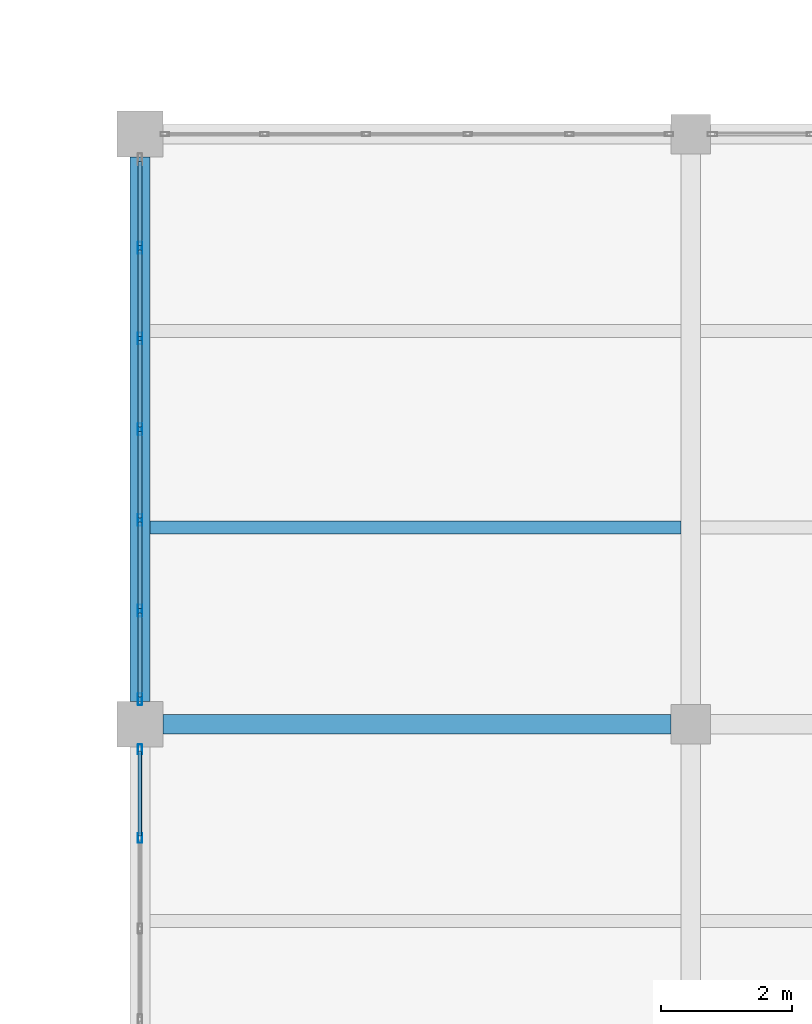
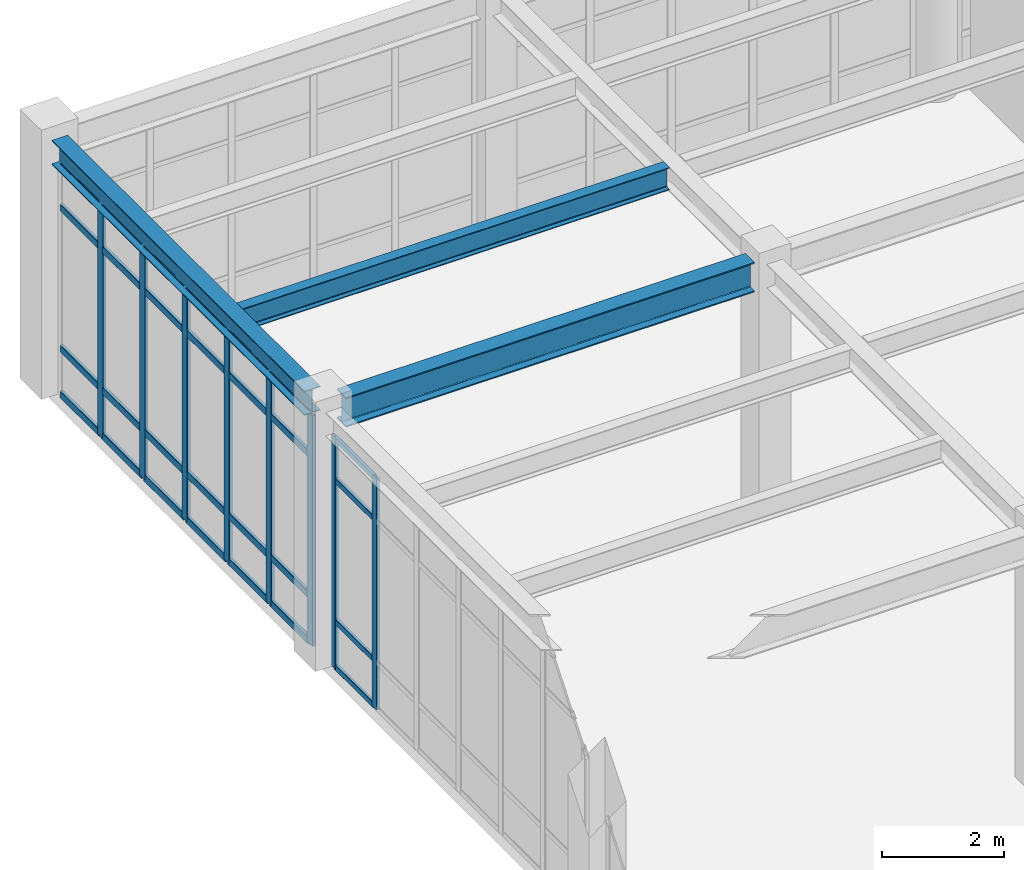
# One storey, part 39 of 80: 36 members, 3 beams, 2 elements without a shape of their own.
"""IFC4 building model written with IfcOpenShell, lengths in metres."""

from ifc_helpers import new_model, si_unit, direction, frame, origin, origin_2d, place, context, subcontext, project, spatial, hollow_rectangle, i_section, extrude, material, material_profile, profile_set, type_object, element, aggregate, save


model = new_model("IFC4")

# Units and contexts
model_context = context("Model", 3, precision=1e-05, world=origin(), true_north=direction((0.0, 1.0)))
body_context = subcontext(model_context, "Body", "Model", "MODEL_VIEW")
ifc_project = project(units=[si_unit("LENGTHUNIT", "METRE"), si_unit("AREAUNIT", "SQUARE_METRE"), si_unit("VOLUMEUNIT", "CUBIC_METRE"), si_unit("PLANEANGLEUNIT", "RADIAN"), si_unit("MASSUNIT", "GRAM", prefix="KILO")], contexts=[model_context])

# Site, building, storey
site_placement = place(None, origin())
site = spatial("IfcSite", under=ifc_project, at=site_placement, CompositionType="ELEMENT")
building_placement = place(site_placement, origin())
building = spatial("IfcBuilding", under=site, at=building_placement, Name="Canglan Escarpment Cableway Terminal", CompositionType="ELEMENT")
storey_placement = place(building_placement, frame((0.0, 0.0, 19.199951171875)))
storey = spatial("IfcBuildingStorey", under=building, at=storey_placement, Name="L04", CompositionType="ELEMENT", Elevation=19.199951171875)

# Beams
ifc_material_1 = material(Name="Steel Q355B", Category="steel")
ifc_material_profile_1 = material_profile(ifc_material_1, i_section(OverallWidth=0.300048828125, OverallDepth=0.488037109375, WebThickness=0.010986328125, FlangeThickness=0.01806640625, FilletRadius=0.02587890625, at=origin_2d()), Name="HM 488x300x11x18")
ifc_profile_set_1 = profile_set([ifc_material_profile_1], Name="Steel Q355B")
beam_type_1 = type_object("IfcBeamType", Name="BM-HM488", PredefinedType="BEAM", material=ifc_profile_set_1)
beam_1_placement = place(storey_placement, frame((111.5, 106.35009765625, 4.885986328125), z_axis=(0.0, 1.0, 0.0), x_axis=(-1.0, 0.0, 0.0)))
element("IfcBeam", 1, at=beam_1_placement, inside=storey, type_object=beam_type_1, Name="Primary transverse girder B-09", PredefinedType="BEAM", context=body_context, shape_type="SweptSolid", body=[
    extrude(i_section(OverallWidth=0.300048828125, OverallDepth=0.488037109375, WebThickness=0.010986328125, FlangeThickness=0.01806640625, FilletRadius=0.02587890625, at=origin_2d()), origin(), (0.0, 0.0, 1.0), 8.2998046875),
])
ifc_material_2 = material(Name="Steel Q355C", Category="steel")
ifc_material_profile_2 = material_profile(ifc_material_2, i_section(OverallWidth=0.302001953125, OverallDepth=0.593994140625, WebThickness=0.013916015625, FlangeThickness=0.02294921875, FilletRadius=0.028076171875, at=origin_2d()), Name="HM 594x302x14x23")
ifc_profile_set_2 = profile_set([ifc_material_profile_2], Name="Steel Q355C")
beam_type_2 = type_object("IfcBeamType", Name="BM-HM594", PredefinedType="BEAM", material=ifc_profile_set_2)
beam_2_placement = place(storey_placement, frame((111.85009765625, 106.0, 4.8330078125), z_axis=(1.0, 0.0, 0.0), x_axis=(0.0, 1.0, 0.0)))
element("IfcBeam", 2, at=beam_2_placement, inside=storey, type_object=beam_type_2, Name="Primary structural girder B-07", PredefinedType="BEAM", context=body_context, shape_type="SweptSolid", body=[
    extrude(i_section(OverallWidth=0.302001953125, OverallDepth=0.593994140625, WebThickness=0.013916015625, FlangeThickness=0.02294921875, FilletRadius=0.028076171875, at=origin_2d()), origin(), (0.0, 0.0, 1.0), 7.75),
])

# Curtain wall, members
ifc_material_3 = material(Name="Anodized bronze aluminium and Low-E double glazing", Category="aluminium")
curtain_wall_type = type_object("IfcCurtainWallType", Name="CW-BAY-8300x4625", PredefinedType="NOTDEFINED", material=ifc_material_3)
curtain_wall_1_placement = place(storey_placement, origin())
curtain_wall_1 = element("IfcCurtainWall", 3, at=curtain_wall_1_placement, inside=storey, type_object=curtain_wall_type, Name="Classical bay-between-piers glazed curtain wall CW-56", PredefinedType="NOTDEFINED")
ifc_material_4 = material(Name="Thermally broken anodized aluminium 6063-T6", Category="aluminium")
ifc_material_profile_3 = material_profile(ifc_material_4, hollow_rectangle(XDim=0.06494140625, YDim=0.14990234375, WallThickness=0.00341796875, InnerFilletRadius=0.00341796875, OuterFilletRadius=0.007080078125, at=origin_2d()), Name="ALU-MULL 65x150x3.5")
ifc_profile_set_3 = profile_set([ifc_material_profile_3], Name="Thermally broken anodized aluminium 6063-T6")
member_type_1 = type_object("IfcMemberType", Name="CWM-02", PredefinedType="MULLION", material=ifc_profile_set_3)
member_1_placement = place(storey_placement, frame((111.5, 105.617431640625, 0.0), z_axis=(0.0, 0.0, 1.0), x_axis=(1.0, 0.0, 0.0)))
member_1 = element("IfcMember", 4, at=member_1_placement, type_object=member_type_1, Name="CW-56 mullion 1", PredefinedType="MULLION", context=body_context, shape_type="SweptSolid", body=[
    extrude(hollow_rectangle(XDim=0.06494140625, YDim=0.14990234375, WallThickness=0.00341796875, InnerFilletRadius=0.00341796875, OuterFilletRadius=0.007080078125, at=origin_2d()), origin(), (0.0, 0.0, 1.0), 4.626953125),
])
member_2_placement = place(storey_placement, frame((111.5, 104.2666015625, 0.0), z_axis=(0.0, 0.0, 1.0), x_axis=(1.0, 0.0, 0.0)))
member_2 = element("IfcMember", 5, at=member_2_placement, type_object=member_type_1, Name="CW-56 mullion 2", PredefinedType="MULLION", context=body_context, shape_type="SweptSolid", body=[
    extrude(hollow_rectangle(XDim=0.06494140625, YDim=0.14990234375, WallThickness=0.00341796875, InnerFilletRadius=0.00341796875, OuterFilletRadius=0.007080078125, at=origin_2d()), origin(), (0.0, 0.0, 1.0), 4.626953125),
])

curtain_wall_2_placement = place(storey_placement, origin())
curtain_wall_2 = element("IfcCurtainWall", 6, at=curtain_wall_2_placement, inside=storey, type_object=curtain_wall_type, Name="Classical bay-between-piers glazed curtain wall CW-56", PredefinedType="NOTDEFINED")
ifc_material_profile_4 = material_profile(ifc_material_4, hollow_rectangle(XDim=0.06494140625, YDim=0.179931640625, WallThickness=0.00390625, InnerFilletRadius=0.00390625, OuterFilletRadius=0.008056640625, at=origin_2d()), Name="ALU-MULL 65x180x4")
ifc_profile_set_4 = profile_set([ifc_material_profile_4], Name="Thermally broken anodized aluminium 6063-T6")
member_type_2 = type_object("IfcMemberType", Name="CWM-03", PredefinedType="MULLION", material=ifc_profile_set_4)
member_3_placement = place(storey_placement, frame((111.5, 113.2666015625, 0.0), z_axis=(0.0, 0.0, 1.0), x_axis=(1.0, 0.0, 0.0)))
member_3 = element("IfcMember", 7, at=member_3_placement, type_object=member_type_2, Name="CW-56 mullion 2", PredefinedType="MULLION", context=body_context, shape_type="SweptSolid", body=[
    extrude(hollow_rectangle(XDim=0.06494140625, YDim=0.179931640625, WallThickness=0.00390625, InnerFilletRadius=0.00390625, OuterFilletRadius=0.008056640625, at=origin_2d()), origin(), (0.0, 0.0, 1.0), 4.626953125),
])
member_4_placement = place(storey_placement, frame((111.5, 111.88330078125, 0.0), z_axis=(0.0, 0.0, 1.0), x_axis=(1.0, 0.0, 0.0)))
member_4 = element("IfcMember", 8, at=member_4_placement, type_object=member_type_2, Name="CW-56 mullion 3", PredefinedType="MULLION", context=body_context, shape_type="SweptSolid", body=[
    extrude(hollow_rectangle(XDim=0.06494140625, YDim=0.179931640625, WallThickness=0.00390625, InnerFilletRadius=0.00390625, OuterFilletRadius=0.008056640625, at=origin_2d()), origin(), (0.0, 0.0, 1.0), 4.626953125),
])
member_5_placement = place(storey_placement, frame((111.5, 110.5, 0.0), z_axis=(0.0, 0.0, 1.0), x_axis=(1.0, 0.0, 0.0)))
member_5 = element("IfcMember", 9, at=member_5_placement, type_object=member_type_2, Name="CW-56 mullion 4", PredefinedType="MULLION", context=body_context, shape_type="SweptSolid", body=[
    extrude(hollow_rectangle(XDim=0.06494140625, YDim=0.179931640625, WallThickness=0.00390625, InnerFilletRadius=0.00390625, OuterFilletRadius=0.008056640625, at=origin_2d()), origin(), (0.0, 0.0, 1.0), 4.626953125),
])
member_6_placement = place(storey_placement, frame((111.5, 109.11669921875, 0.0), z_axis=(0.0, 0.0, 1.0), x_axis=(1.0, 0.0, 0.0)))
member_6 = element("IfcMember", 10, at=member_6_placement, type_object=member_type_2, Name="CW-56 mullion 5", PredefinedType="MULLION", context=body_context, shape_type="SweptSolid", body=[
    extrude(hollow_rectangle(XDim=0.06494140625, YDim=0.179931640625, WallThickness=0.00390625, InnerFilletRadius=0.00390625, OuterFilletRadius=0.008056640625, at=origin_2d()), origin(), (0.0, 0.0, 1.0), 4.626953125),
])
member_7_placement = place(storey_placement, frame((111.5, 107.7333984375, 0.0), z_axis=(0.0, 0.0, 1.0), x_axis=(1.0, 0.0, 0.0)))
member_7 = element("IfcMember", 11, at=member_7_placement, type_object=member_type_2, Name="CW-56 mullion 6", PredefinedType="MULLION", context=body_context, shape_type="SweptSolid", body=[
    extrude(hollow_rectangle(XDim=0.06494140625, YDim=0.179931640625, WallThickness=0.00390625, InnerFilletRadius=0.00390625, OuterFilletRadius=0.008056640625, at=origin_2d()), origin(), (0.0, 0.0, 1.0), 4.626953125),
])
member_8_placement = place(storey_placement, frame((111.5, 106.382568359375, 0.0), z_axis=(0.0, 0.0, 1.0), x_axis=(1.0, 0.0, 0.0)))
member_8 = element("IfcMember", 12, at=member_8_placement, type_object=member_type_2, Name="CW-56 mullion 7", PredefinedType="MULLION", context=body_context, shape_type="SweptSolid", body=[
    extrude(hollow_rectangle(XDim=0.06494140625, YDim=0.179931640625, WallThickness=0.00390625, InnerFilletRadius=0.00390625, OuterFilletRadius=0.008056640625, at=origin_2d()), origin(), (0.0, 0.0, 1.0), 4.626953125),
])

# Member
ifc_material_profile_5 = material_profile(ifc_material_4, hollow_rectangle(XDim=0.06005859375, YDim=0.110107421875, WallThickness=0.0029296875, InnerFilletRadius=0.0029296875, OuterFilletRadius=0.006103515625, at=origin_2d()), Name="ALU-TRAN 60x110x3")
ifc_profile_set_5 = profile_set([ifc_material_profile_5], Name="Thermally broken anodized aluminium 6063-T6")
member_type_3 = type_object("IfcMemberType", Name="CWT-02", PredefinedType="USERDEFINED", material=ifc_profile_set_5)
member_9_placement = place(storey_placement, frame((111.5, 105.5849609375, 0.030029296875), z_axis=(0.0, -1.0, 0.0), x_axis=(1.0, 0.0, 0.0)))
member_9 = element("IfcMember", 13, at=member_9_placement, type_object=member_type_3, Name="CW-56 transom 1.1", ObjectType="TRANSOM", PredefinedType="USERDEFINED", context=body_context, shape_type="SweptSolid", body=[
    extrude(hollow_rectangle(XDim=0.06005859375, YDim=0.110107421875, WallThickness=0.0029296875, InnerFilletRadius=0.0029296875, OuterFilletRadius=0.006103515625, at=origin_2d()), origin(), (0.0, 0.0, 1.0), 1.285888671875),
])

member_10_placement = place(storey_placement, frame((111.5, 105.5849609375, 0.949951171875), z_axis=(0.0, -1.0, 0.0), x_axis=(1.0, 0.0, 0.0)))
member_10 = element("IfcMember", 14, at=member_10_placement, type_object=member_type_3, Name="CW-56 transom 1.2", ObjectType="TRANSOM", PredefinedType="USERDEFINED", context=body_context, shape_type="SweptSolid", body=[
    extrude(hollow_rectangle(XDim=0.06005859375, YDim=0.110107421875, WallThickness=0.0029296875, InnerFilletRadius=0.0029296875, OuterFilletRadius=0.006103515625, at=origin_2d()), origin(), (0.0, 0.0, 1.0), 1.285888671875),
])

member_11_placement = place(storey_placement, frame((111.5, 105.5849609375, 3.777099609375), z_axis=(0.0, -1.0, 0.0), x_axis=(1.0, 0.0, 0.0)))
member_11 = element("IfcMember", 15, at=member_11_placement, type_object=member_type_3, Name="CW-56 transom 1.3", ObjectType="TRANSOM", PredefinedType="USERDEFINED", context=body_context, shape_type="SweptSolid", body=[
    extrude(hollow_rectangle(XDim=0.06005859375, YDim=0.110107421875, WallThickness=0.0029296875, InnerFilletRadius=0.0029296875, OuterFilletRadius=0.006103515625, at=origin_2d()), origin(), (0.0, 0.0, 1.0), 1.285888671875),
])

member_12_placement = place(storey_placement, frame((111.5, 105.5849609375, 4.59716796875), z_axis=(0.0, -1.0, 0.0), x_axis=(1.0, 0.0, 0.0)))
member_12 = element("IfcMember", 16, at=member_12_placement, type_object=member_type_3, Name="CW-56 transom 1.4", ObjectType="TRANSOM", PredefinedType="USERDEFINED", context=body_context, shape_type="SweptSolid", body=[
    extrude(hollow_rectangle(XDim=0.06005859375, YDim=0.110107421875, WallThickness=0.0029296875, InnerFilletRadius=0.0029296875, OuterFilletRadius=0.006103515625, at=origin_2d()), origin(), (0.0, 0.0, 1.0), 1.285888671875),
])

aggregate(curtain_wall_1, [member_1, member_2, member_9, member_10, member_11, member_12])

ifc_material_profile_6 = material_profile(ifc_material_4, hollow_rectangle(XDim=0.06494140625, YDim=0.139892578125, WallThickness=0.00341796875, InnerFilletRadius=0.00341796875, OuterFilletRadius=0.007080078125, at=origin_2d()), Name="ALU-TRAN 65x140x3.5")
ifc_profile_set_6 = profile_set([ifc_material_profile_6], Name="Thermally broken anodized aluminium 6063-T6")
member_type_4 = type_object("IfcMemberType", Name="CWT-03", PredefinedType="USERDEFINED", material=ifc_profile_set_6)
member_13_placement = place(storey_placement, frame((111.5, 114.5849609375, 0.032470703125), z_axis=(0.0, -1.0, 0.0), x_axis=(1.0, 0.0, 0.0)))
member_13 = element("IfcMember", 17, at=member_13_placement, type_object=member_type_4, Name="CW-56 transom 1.1", ObjectType="TRANSOM", PredefinedType="USERDEFINED", context=body_context, shape_type="SweptSolid", body=[
    extrude(hollow_rectangle(XDim=0.06494140625, YDim=0.139892578125, WallThickness=0.00341796875, InnerFilletRadius=0.00341796875, OuterFilletRadius=0.007080078125, at=origin_2d()), origin(), (0.0, 0.0, 1.0), 1.285888671875),
])

member_14_placement = place(storey_placement, frame((111.5, 114.5849609375, 0.949951171875), z_axis=(0.0, -1.0, 0.0), x_axis=(1.0, 0.0, 0.0)))
member_14 = element("IfcMember", 18, at=member_14_placement, type_object=member_type_4, Name="CW-56 transom 1.2", ObjectType="TRANSOM", PredefinedType="USERDEFINED", context=body_context, shape_type="SweptSolid", body=[
    extrude(hollow_rectangle(XDim=0.06494140625, YDim=0.139892578125, WallThickness=0.00341796875, InnerFilletRadius=0.00341796875, OuterFilletRadius=0.007080078125, at=origin_2d()), origin(), (0.0, 0.0, 1.0), 1.285888671875),
])

member_15_placement = place(storey_placement, frame((111.5, 114.5849609375, 3.777099609375), z_axis=(0.0, -1.0, 0.0), x_axis=(1.0, 0.0, 0.0)))
member_15 = element("IfcMember", 19, at=member_15_placement, type_object=member_type_4, Name="CW-56 transom 1.3", ObjectType="TRANSOM", PredefinedType="USERDEFINED", context=body_context, shape_type="SweptSolid", body=[
    extrude(hollow_rectangle(XDim=0.06494140625, YDim=0.139892578125, WallThickness=0.00341796875, InnerFilletRadius=0.00341796875, OuterFilletRadius=0.007080078125, at=origin_2d()), origin(), (0.0, 0.0, 1.0), 1.285888671875),
])

member_16_placement = place(storey_placement, frame((111.5, 114.5849609375, 4.594482421875), z_axis=(0.0, -1.0, 0.0), x_axis=(1.0, 0.0, 0.0)))
member_16 = element("IfcMember", 20, at=member_16_placement, type_object=member_type_4, Name="CW-56 transom 1.4", ObjectType="TRANSOM", PredefinedType="USERDEFINED", context=body_context, shape_type="SweptSolid", body=[
    extrude(hollow_rectangle(XDim=0.06494140625, YDim=0.139892578125, WallThickness=0.00341796875, InnerFilletRadius=0.00341796875, OuterFilletRadius=0.007080078125, at=origin_2d()), origin(), (0.0, 0.0, 1.0), 1.285888671875),
])

member_17_placement = place(storey_placement, frame((111.5, 113.234130859375, 0.032470703125), z_axis=(0.0, -1.0, 0.0), x_axis=(1.0, 0.0, 0.0)))
member_17 = element("IfcMember", 21, at=member_17_placement, type_object=member_type_4, Name="CW-56 transom 2.1", ObjectType="TRANSOM", PredefinedType="USERDEFINED", context=body_context, shape_type="SweptSolid", body=[
    extrude(hollow_rectangle(XDim=0.06494140625, YDim=0.139892578125, WallThickness=0.00341796875, InnerFilletRadius=0.00341796875, OuterFilletRadius=0.007080078125, at=origin_2d()), origin(), (0.0, 0.0, 1.0), 1.318359375),
])

member_18_placement = place(storey_placement, frame((111.5, 113.234130859375, 0.949951171875), z_axis=(0.0, -1.0, 0.0), x_axis=(1.0, 0.0, 0.0)))
member_18 = element("IfcMember", 22, at=member_18_placement, type_object=member_type_4, Name="CW-56 transom 2.2", ObjectType="TRANSOM", PredefinedType="USERDEFINED", context=body_context, shape_type="SweptSolid", body=[
    extrude(hollow_rectangle(XDim=0.06494140625, YDim=0.139892578125, WallThickness=0.00341796875, InnerFilletRadius=0.00341796875, OuterFilletRadius=0.007080078125, at=origin_2d()), origin(), (0.0, 0.0, 1.0), 1.318359375),
])

member_19_placement = place(storey_placement, frame((111.5, 113.234130859375, 3.777099609375), z_axis=(0.0, -1.0, 0.0), x_axis=(1.0, 0.0, 0.0)))
member_19 = element("IfcMember", 23, at=member_19_placement, type_object=member_type_4, Name="CW-56 transom 2.3", ObjectType="TRANSOM", PredefinedType="USERDEFINED", context=body_context, shape_type="SweptSolid", body=[
    extrude(hollow_rectangle(XDim=0.06494140625, YDim=0.139892578125, WallThickness=0.00341796875, InnerFilletRadius=0.00341796875, OuterFilletRadius=0.007080078125, at=origin_2d()), origin(), (0.0, 0.0, 1.0), 1.318359375),
])

member_20_placement = place(storey_placement, frame((111.5, 113.234130859375, 4.594482421875), z_axis=(0.0, -1.0, 0.0), x_axis=(1.0, 0.0, 0.0)))
member_20 = element("IfcMember", 24, at=member_20_placement, type_object=member_type_4, Name="CW-56 transom 2.4", ObjectType="TRANSOM", PredefinedType="USERDEFINED", context=body_context, shape_type="SweptSolid", body=[
    extrude(hollow_rectangle(XDim=0.06494140625, YDim=0.139892578125, WallThickness=0.00341796875, InnerFilletRadius=0.00341796875, OuterFilletRadius=0.007080078125, at=origin_2d()), origin(), (0.0, 0.0, 1.0), 1.318359375),
])

member_21_placement = place(storey_placement, frame((111.5, 111.850830078125, 0.032470703125), z_axis=(0.0, -1.0, 0.0), x_axis=(1.0, 0.0, 0.0)))
member_21 = element("IfcMember", 25, at=member_21_placement, type_object=member_type_4, Name="CW-56 transom 3.1", ObjectType="TRANSOM", PredefinedType="USERDEFINED", context=body_context, shape_type="SweptSolid", body=[
    extrude(hollow_rectangle(XDim=0.06494140625, YDim=0.139892578125, WallThickness=0.00341796875, InnerFilletRadius=0.00341796875, OuterFilletRadius=0.007080078125, at=origin_2d()), origin(), (0.0, 0.0, 1.0), 1.318359375),
])

member_22_placement = place(storey_placement, frame((111.5, 111.850830078125, 0.949951171875), z_axis=(0.0, -1.0, 0.0), x_axis=(1.0, 0.0, 0.0)))
member_22 = element("IfcMember", 26, at=member_22_placement, type_object=member_type_4, Name="CW-56 transom 3.2", ObjectType="TRANSOM", PredefinedType="USERDEFINED", context=body_context, shape_type="SweptSolid", body=[
    extrude(hollow_rectangle(XDim=0.06494140625, YDim=0.139892578125, WallThickness=0.00341796875, InnerFilletRadius=0.00341796875, OuterFilletRadius=0.007080078125, at=origin_2d()), origin(), (0.0, 0.0, 1.0), 1.318359375),
])

member_23_placement = place(storey_placement, frame((111.5, 111.850830078125, 3.777099609375), z_axis=(0.0, -1.0, 0.0), x_axis=(1.0, 0.0, 0.0)))
member_23 = element("IfcMember", 27, at=member_23_placement, type_object=member_type_4, Name="CW-56 transom 3.3", ObjectType="TRANSOM", PredefinedType="USERDEFINED", context=body_context, shape_type="SweptSolid", body=[
    extrude(hollow_rectangle(XDim=0.06494140625, YDim=0.139892578125, WallThickness=0.00341796875, InnerFilletRadius=0.00341796875, OuterFilletRadius=0.007080078125, at=origin_2d()), origin(), (0.0, 0.0, 1.0), 1.318359375),
])

member_24_placement = place(storey_placement, frame((111.5, 111.850830078125, 4.594482421875), z_axis=(0.0, -1.0, 0.0), x_axis=(1.0, 0.0, 0.0)))
member_24 = element("IfcMember", 28, at=member_24_placement, type_object=member_type_4, Name="CW-56 transom 3.4", ObjectType="TRANSOM", PredefinedType="USERDEFINED", context=body_context, shape_type="SweptSolid", body=[
    extrude(hollow_rectangle(XDim=0.06494140625, YDim=0.139892578125, WallThickness=0.00341796875, InnerFilletRadius=0.00341796875, OuterFilletRadius=0.007080078125, at=origin_2d()), origin(), (0.0, 0.0, 1.0), 1.318359375),
])

member_25_placement = place(storey_placement, frame((111.5, 110.467529296875, 0.032470703125), z_axis=(0.0, -1.0, 0.0), x_axis=(1.0, 0.0, 0.0)))
member_25 = element("IfcMember", 29, at=member_25_placement, type_object=member_type_4, Name="CW-56 transom 4.1", ObjectType="TRANSOM", PredefinedType="USERDEFINED", context=body_context, shape_type="SweptSolid", body=[
    extrude(hollow_rectangle(XDim=0.06494140625, YDim=0.139892578125, WallThickness=0.00341796875, InnerFilletRadius=0.00341796875, OuterFilletRadius=0.007080078125, at=origin_2d()), origin(), (0.0, 0.0, 1.0), 1.318359375),
])

member_26_placement = place(storey_placement, frame((111.5, 110.467529296875, 0.949951171875), z_axis=(0.0, -1.0, 0.0), x_axis=(1.0, 0.0, 0.0)))
member_26 = element("IfcMember", 30, at=member_26_placement, type_object=member_type_4, Name="CW-56 transom 4.2", ObjectType="TRANSOM", PredefinedType="USERDEFINED", context=body_context, shape_type="SweptSolid", body=[
    extrude(hollow_rectangle(XDim=0.06494140625, YDim=0.139892578125, WallThickness=0.00341796875, InnerFilletRadius=0.00341796875, OuterFilletRadius=0.007080078125, at=origin_2d()), origin(), (0.0, 0.0, 1.0), 1.318359375),
])

member_27_placement = place(storey_placement, frame((111.5, 110.467529296875, 3.777099609375), z_axis=(0.0, -1.0, 0.0), x_axis=(1.0, 0.0, 0.0)))
member_27 = element("IfcMember", 31, at=member_27_placement, type_object=member_type_4, Name="CW-56 transom 4.3", ObjectType="TRANSOM", PredefinedType="USERDEFINED", context=body_context, shape_type="SweptSolid", body=[
    extrude(hollow_rectangle(XDim=0.06494140625, YDim=0.139892578125, WallThickness=0.00341796875, InnerFilletRadius=0.00341796875, OuterFilletRadius=0.007080078125, at=origin_2d()), origin(), (0.0, 0.0, 1.0), 1.318359375),
])

member_28_placement = place(storey_placement, frame((111.5, 110.467529296875, 4.594482421875), z_axis=(0.0, -1.0, 0.0), x_axis=(1.0, 0.0, 0.0)))
member_28 = element("IfcMember", 32, at=member_28_placement, type_object=member_type_4, Name="CW-56 transom 4.4", ObjectType="TRANSOM", PredefinedType="USERDEFINED", context=body_context, shape_type="SweptSolid", body=[
    extrude(hollow_rectangle(XDim=0.06494140625, YDim=0.139892578125, WallThickness=0.00341796875, InnerFilletRadius=0.00341796875, OuterFilletRadius=0.007080078125, at=origin_2d()), origin(), (0.0, 0.0, 1.0), 1.318359375),
])

member_29_placement = place(storey_placement, frame((111.5, 109.084228515625, 0.032470703125), z_axis=(0.0, -1.0, 0.0), x_axis=(1.0, 0.0, 0.0)))
member_29 = element("IfcMember", 33, at=member_29_placement, type_object=member_type_4, Name="CW-56 transom 5.1", ObjectType="TRANSOM", PredefinedType="USERDEFINED", context=body_context, shape_type="SweptSolid", body=[
    extrude(hollow_rectangle(XDim=0.06494140625, YDim=0.139892578125, WallThickness=0.00341796875, InnerFilletRadius=0.00341796875, OuterFilletRadius=0.007080078125, at=origin_2d()), origin(), (0.0, 0.0, 1.0), 1.318359375),
])

member_30_placement = place(storey_placement, frame((111.5, 109.084228515625, 0.949951171875), z_axis=(0.0, -1.0, 0.0), x_axis=(1.0, 0.0, 0.0)))
member_30 = element("IfcMember", 34, at=member_30_placement, type_object=member_type_4, Name="CW-56 transom 5.2", ObjectType="TRANSOM", PredefinedType="USERDEFINED", context=body_context, shape_type="SweptSolid", body=[
    extrude(hollow_rectangle(XDim=0.06494140625, YDim=0.139892578125, WallThickness=0.00341796875, InnerFilletRadius=0.00341796875, OuterFilletRadius=0.007080078125, at=origin_2d()), origin(), (0.0, 0.0, 1.0), 1.318359375),
])

member_31_placement = place(storey_placement, frame((111.5, 109.084228515625, 3.777099609375), z_axis=(0.0, -1.0, 0.0), x_axis=(1.0, 0.0, 0.0)))
member_31 = element("IfcMember", 35, at=member_31_placement, type_object=member_type_4, Name="CW-56 transom 5.3", ObjectType="TRANSOM", PredefinedType="USERDEFINED", context=body_context, shape_type="SweptSolid", body=[
    extrude(hollow_rectangle(XDim=0.06494140625, YDim=0.139892578125, WallThickness=0.00341796875, InnerFilletRadius=0.00341796875, OuterFilletRadius=0.007080078125, at=origin_2d()), origin(), (0.0, 0.0, 1.0), 1.318359375),
])

member_32_placement = place(storey_placement, frame((111.5, 109.084228515625, 4.594482421875), z_axis=(0.0, -1.0, 0.0), x_axis=(1.0, 0.0, 0.0)))
member_32 = element("IfcMember", 36, at=member_32_placement, type_object=member_type_4, Name="CW-56 transom 5.4", ObjectType="TRANSOM", PredefinedType="USERDEFINED", context=body_context, shape_type="SweptSolid", body=[
    extrude(hollow_rectangle(XDim=0.06494140625, YDim=0.139892578125, WallThickness=0.00341796875, InnerFilletRadius=0.00341796875, OuterFilletRadius=0.007080078125, at=origin_2d()), origin(), (0.0, 0.0, 1.0), 1.318359375),
])

member_33_placement = place(storey_placement, frame((111.5, 107.700927734375, 0.032470703125), z_axis=(0.0, -1.0, 0.0), x_axis=(1.0, 0.0, 0.0)))
member_33 = element("IfcMember", 37, at=member_33_placement, type_object=member_type_4, Name="CW-56 transom 6.1", ObjectType="TRANSOM", PredefinedType="USERDEFINED", context=body_context, shape_type="SweptSolid", body=[
    extrude(hollow_rectangle(XDim=0.06494140625, YDim=0.139892578125, WallThickness=0.00341796875, InnerFilletRadius=0.00341796875, OuterFilletRadius=0.007080078125, at=origin_2d()), origin(), (0.0, 0.0, 1.0), 1.285888671875),
])

member_34_placement = place(storey_placement, frame((111.5, 107.700927734375, 0.949951171875), z_axis=(0.0, -1.0, 0.0), x_axis=(1.0, 0.0, 0.0)))
member_34 = element("IfcMember", 38, at=member_34_placement, type_object=member_type_4, Name="CW-56 transom 6.2", ObjectType="TRANSOM", PredefinedType="USERDEFINED", context=body_context, shape_type="SweptSolid", body=[
    extrude(hollow_rectangle(XDim=0.06494140625, YDim=0.139892578125, WallThickness=0.00341796875, InnerFilletRadius=0.00341796875, OuterFilletRadius=0.007080078125, at=origin_2d()), origin(), (0.0, 0.0, 1.0), 1.285888671875),
])

member_35_placement = place(storey_placement, frame((111.5, 107.700927734375, 3.777099609375), z_axis=(0.0, -1.0, 0.0), x_axis=(1.0, 0.0, 0.0)))
member_35 = element("IfcMember", 39, at=member_35_placement, type_object=member_type_4, Name="CW-56 transom 6.3", ObjectType="TRANSOM", PredefinedType="USERDEFINED", context=body_context, shape_type="SweptSolid", body=[
    extrude(hollow_rectangle(XDim=0.06494140625, YDim=0.139892578125, WallThickness=0.00341796875, InnerFilletRadius=0.00341796875, OuterFilletRadius=0.007080078125, at=origin_2d()), origin(), (0.0, 0.0, 1.0), 1.285888671875),
])

member_36_placement = place(storey_placement, frame((111.5, 107.700927734375, 4.594482421875), z_axis=(0.0, -1.0, 0.0), x_axis=(1.0, 0.0, 0.0)))
member_36 = element("IfcMember", 40, at=member_36_placement, type_object=member_type_4, Name="CW-56 transom 6.4", ObjectType="TRANSOM", PredefinedType="USERDEFINED", context=body_context, shape_type="SweptSolid", body=[
    extrude(hollow_rectangle(XDim=0.06494140625, YDim=0.139892578125, WallThickness=0.00341796875, InnerFilletRadius=0.00341796875, OuterFilletRadius=0.007080078125, at=origin_2d()), origin(), (0.0, 0.0, 1.0), 1.285888671875),
])

aggregate(curtain_wall_2, [member_3, member_4, member_5, member_6, member_7, member_8, member_13, member_14, member_15, member_16, member_17, member_18, member_19, member_20, member_21, member_22, member_23, member_24, member_25, member_26, member_27, member_28, member_29, member_30, member_31, member_32, member_33, member_34, member_35, member_36])

# Beam
ifc_material_profile_7 = material_profile(ifc_material_1, i_section(OverallWidth=0.199951171875, OverallDepth=0.449951171875, WebThickness=0.009033203125, FlangeThickness=0.013916015625, FilletRadius=0.01806640625, at=origin_2d()), Name="HN 450x200x9x14")
ifc_profile_set_7 = profile_set([ifc_material_profile_7], Name="Steel Q355B")
beam_type_3 = type_object("IfcBeamType", Name="JS-HN450", PredefinedType="JOIST", material=ifc_profile_set_7)
beam_3_placement = place(storey_placement, frame((111.64990234375, 109.0, 4.905029296875), z_axis=(1.0, 0.0, 0.0), x_axis=(0.0, 1.0, 0.0)))
element("IfcBeam", 41, at=beam_3_placement, inside=storey, type_object=beam_type_3, Name="Secondary composite deck joist J-02", PredefinedType="JOIST", context=body_context, shape_type="SweptSolid", body=[
    extrude(i_section(OverallWidth=0.199951171875, OverallDepth=0.449951171875, WebThickness=0.009033203125, FlangeThickness=0.013916015625, FilletRadius=0.01806640625, at=origin_2d()), origin(), (0.0, 0.0, 1.0), 8.10009765625),
])

save(model, "model.ifc")
